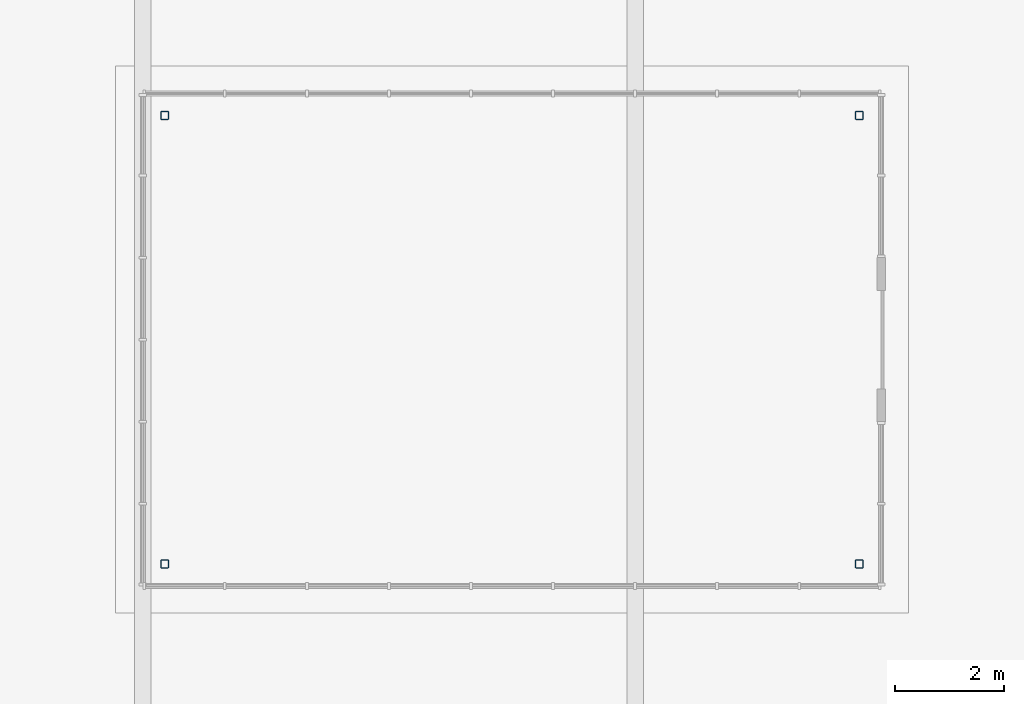
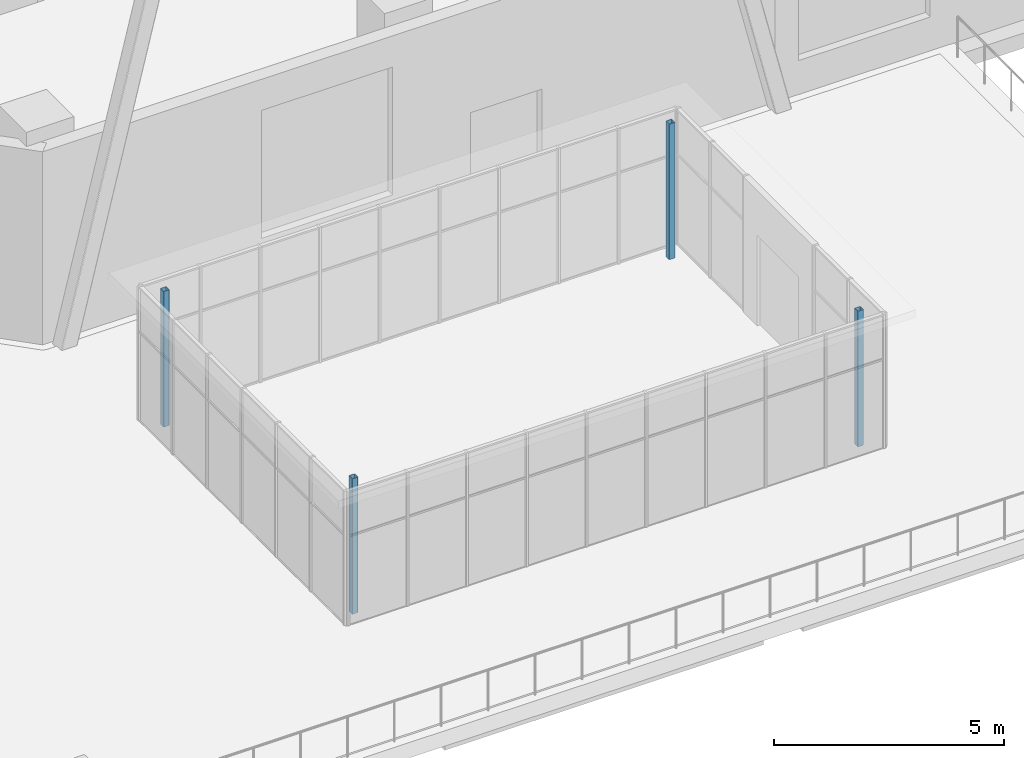
# One storey, part 1 of 33: 4 columns.
"""IFC4 building model written with IfcOpenShell, lengths in metres."""

from ifc_helpers import new_model, si_unit, direction, frame, origin, origin_2d, place, context, subcontext, project, spatial, hollow_rectangle, extrude, material, material_profile, profile_set, type_object, element, save


model = new_model("IFC4")

# Units and contexts
model_context = context("Model", 3, precision=1e-05, world=origin(), true_north=direction((0.0, 1.0)))
body_context = subcontext(model_context, "Body", "Model", "MODEL_VIEW")
ifc_project = project(units=[si_unit("LENGTHUNIT", "METRE"), si_unit("AREAUNIT", "SQUARE_METRE"), si_unit("VOLUMEUNIT", "CUBIC_METRE"), si_unit("PLANEANGLEUNIT", "RADIAN"), si_unit("MASSUNIT", "GRAM", prefix="KILO")], contexts=[model_context])

# Site, building, storey
site_placement = place(None, origin())
site = spatial("IfcSite", under=ifc_project, at=site_placement, CompositionType="ELEMENT")
building_placement = place(site_placement, origin())
building = spatial("IfcBuilding", under=site, at=building_placement, Name="Quoin Convention Tower", CompositionType="ELEMENT")
storey_placement = place(building_placement, frame((0.0, 0.0, 8.0)))
storey = spatial("IfcBuildingStorey", under=building, at=storey_placement, Name="L01", CompositionType="ELEMENT", Elevation=8.0)

# Columns
ifc_material = material(Name="Steel Grade 350", Category="steel")
ifc_material_profile = material_profile(ifc_material, hollow_rectangle(XDim=0.14990234375, YDim=0.14990234375, WallThickness=0.008056640625, InnerFilletRadius=0.011962890625, OuterFilletRadius=0.02001953125, at=origin_2d()), Name="150x150x8.0SHS")
ifc_profile_set = profile_set([ifc_material_profile], Name="Steel Grade 350")
column_type = type_object("IfcColumnType", Name="Pavilion column 150x150x8.0SHS", PredefinedType="COLUMN", material=ifc_profile_set)
for number, where, z_axis, x_axis, name in (
    (1, (18.39990234375, 4.89990234375, 0.0), (0.0, 0.0, 1.0), (1.0, 0.0, 0.0), "col-PAV-W1"),
    (2, (18.39990234375, 13.10009765625, 0.0), (0.0, 0.0, 1.0), (1.0, 0.0, 0.0), "col-PAV-W2"),
    (3, (31.10009765625, 4.89990234375, 0.0), (0.0, 0.0, 1.0), (1.0, 0.0, 0.0), "col-PAV-W3"),
    (4, (31.10009765625, 13.10009765625, 0.0), (0.0, 0.0, 1.0), (1.0, 0.0, 0.0), "col-PAV-W4"),
):
    element("IfcColumn", number, at=place(storey_placement, frame(where, z_axis=z_axis, x_axis=x_axis)), inside=storey, type_object=column_type, Name=name, PredefinedType="COLUMN", context=body_context, shape_type="SweptSolid", body=[
        extrude(hollow_rectangle(XDim=0.14990234375, YDim=0.14990234375, WallThickness=0.008056640625, InnerFilletRadius=0.011962890625, OuterFilletRadius=0.02001953125, at=origin_2d()), origin(), (0.0, 0.0, 1.0), 3.60009765625),
    ])

save(model, "model.ifc")
